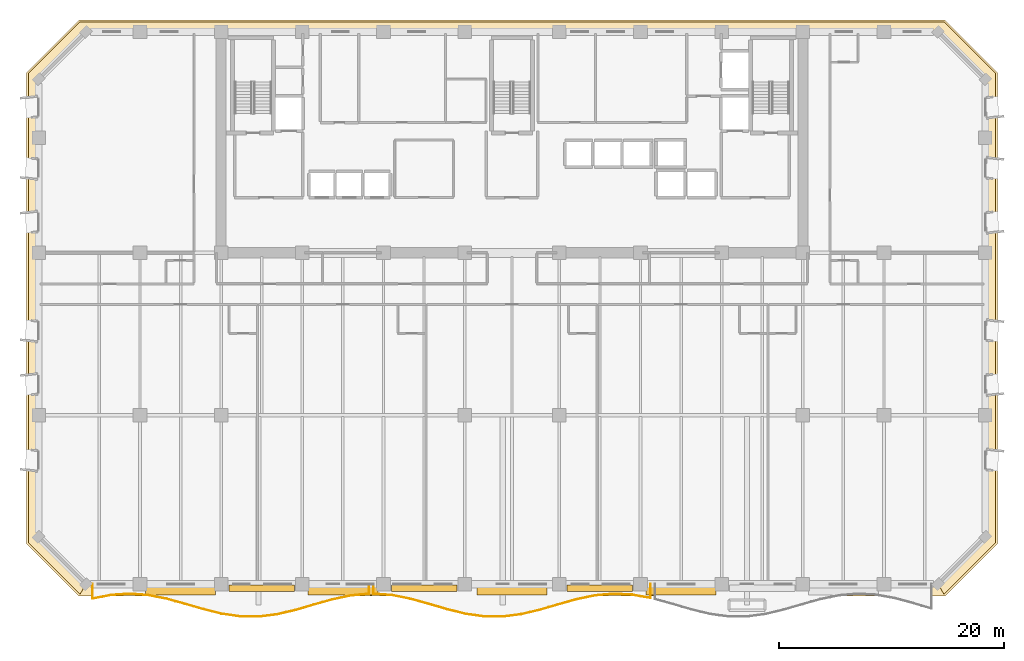
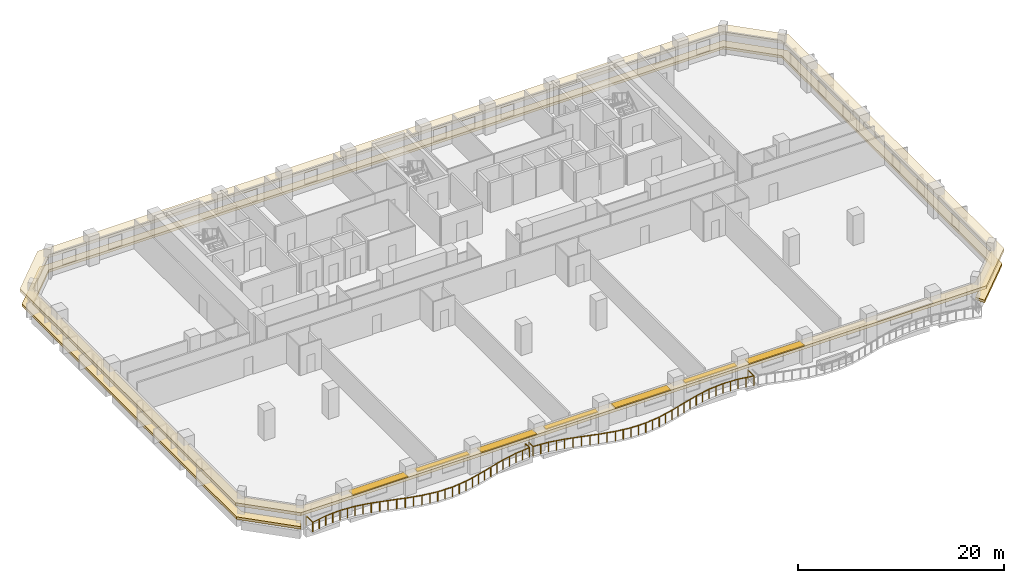
# One storey, part 11 of 14: 7 shading devices, 2 coverings, 2 railings.
"""IFC4 building model written with IfcOpenShell, lengths in metres."""

from ifc_helpers import new_model, si_unit, direction, frame, origin, origin_2d, place, context, subcontext, project, spatial, polyline, rectangle, outline, extrude, material, layer, layer_set, type_object, element, save


model = new_model("IFC4")

# Units and contexts
model_context = context("Model", 3, precision=1e-05, world=origin(), true_north=direction((0.0, 1.0)))
body_context = subcontext(model_context, "Body", "Model", "MODEL_VIEW")
ifc_project = project(units=[si_unit("LENGTHUNIT", "METRE"), si_unit("AREAUNIT", "SQUARE_METRE"), si_unit("VOLUMEUNIT", "CUBIC_METRE"), si_unit("PLANEANGLEUNIT", "RADIAN"), si_unit("MASSUNIT", "GRAM", prefix="KILO")], contexts=[model_context])

# Site, building, storey
site_placement = place(None, origin())
site = spatial("IfcSite", under=ifc_project, at=site_placement, CompositionType="ELEMENT")
building_placement = place(site_placement, origin())
building = spatial("IfcBuilding", under=site, at=building_placement, Name="Kaelvorn Grand Hotel", CompositionType="ELEMENT")
storey_placement = place(building_placement, frame((0.0, 0.0, 119.300048828125)))
storey = spatial("IfcBuildingStorey", under=building, at=storey_placement, Name="L28", CompositionType="ELEMENT", Elevation=119.300048828125)

# Coverings
ifc_material_1 = material(Name="Precast concrete C45/55", Category="concrete")
ifc_layer_1 = layer(ifc_material_1, 0.260009765625)
ifc_layer_set_1 = layer_set([ifc_layer_1], Name="Precast concrete C45/55")
covering_type_1 = type_object("IfcCoveringType", Name="COV-BAND-STREAMLINE-HEAD", PredefinedType="CLADDING", material=ifc_layer_set_1)
covering_1_placement = place(storey_placement, frame((0.0, 0.0, 2.179931640625)))
element("IfcCovering", 1, at=covering_1_placement, inside=storey, type_object=covering_type_1, Name="L28 Streamline Moderne Wraparound Horizontal Eyebrow Band", PredefinedType="CLADDING", context=body_context, shape_type="SweptSolid", body=[
    extrude(outline(polyline([(3.590087890625, -1.050048828125), (80.409912109375, -1.050048828125), (85.050048828125, 3.590087890625), (85.050048828125, 45.409912109375), (80.409912109375, 50.050048828125), (3.590087890625, 50.050048828125), (-1.050048828125, 45.409912109375), (-1.050048828125, 3.590087890625), (3.590087890625, -1.050048828125)]), holes=[polyline([(4.219970703125, 0.030029296875), (79.780029296875, 0.030029296875), (83.969970703125, 4.219970703125), (83.969970703125, 44.780029296875), (79.780029296875, 48.969970703125), (4.219970703125, 48.969970703125), (0.030029296875, 44.780029296875), (0.030029296875, 4.219970703125), (4.219970703125, 0.030029296875)])]), origin(), (0.0, 0.0, 1.0), 0.360107421875),
])
ifc_layer_2 = layer(ifc_material_1, 0.219970703125)
ifc_layer_set_2 = layer_set([ifc_layer_2], Name="Precast concrete C45/55")
covering_type_2 = type_object("IfcCoveringType", Name="COV-BAND-STREAMLINE-SILL", PredefinedType="CLADDING", material=ifc_layer_set_2)
covering_2_placement = place(storey_placement, frame((0.0, 0.0, 0.449951171875)))
element("IfcCovering", 2, at=covering_2_placement, inside=storey, type_object=covering_type_2, Name="L28 Streamline Moderne Wraparound Horizontal Sill Spandrel Band", PredefinedType="CLADDING", context=body_context, shape_type="SweptSolid", body=[
    extrude(outline(polyline([(80.3154296875, -0.8798828125), (84.8798828125, 3.6845703125), (84.8798828125, 45.3154296875), (80.3154296875, 49.8798828125), (3.6845703125, 49.8798828125), (-0.8798828125, 45.3154296875), (-0.8798828125, 3.6845703125), (3.6845703125, -0.8798828125), (4.217529296875, 0.030029296875), (0.030029296875, 4.217529296875), (0.030029296875, 44.782470703125), (4.217529296875, 48.969970703125), (79.782470703125, 48.969970703125), (83.969970703125, 44.782470703125), (83.969970703125, 4.217529296875), (79.782470703125, 0.030029296875), (80.3154296875, -0.8798828125)])), origin(), (0.0, 0.0, 1.0), 0.300048828125),
])

# Railings
ifc_material_2 = material(Name="Stainless Steel", Category="steel")
railing_type = type_object("IfcRailingType", Name="RL-BALC-1150", PredefinedType="BALUSTRADE", material=ifc_material_2)
railing_1_placement = place(storey_placement, frame((4.800048828125, 0.0, 0.0)))
element("IfcRailing", 3, at=railing_1_placement, inside=storey, type_object=railing_type, Name="L28 Scalloped Wave Balcony Balustrade GR1-1", PredefinedType="BALUSTRADE", context=body_context, shape_type="SweptSolid", body=[
    extrude(rectangle(XDim=0.048095703125, YDim=0.048095703125, at=origin_2d()), frame((0.0, 0.0, 1.1259765625), z_axis=(0.0, -1.0, 0.0), x_axis=(1.0, 0.0, 0.0)), (0.0, 0.0, 1.0), 1.2724609375),
    extrude(rectangle(XDim=0.048095703125, YDim=0.048095703125, at=origin_2d()), frame((0.0, -1.2724609375, 1.1259765625), z_axis=(0.982203562984, 0.1878194901, 0.0), x_axis=(-0.1878194901, 0.982203562984, 0.0)), (0.0, 0.0, 1.0), 1.6650390625),
    extrude(rectangle(XDim=0.048095703125, YDim=0.048095703125, at=origin_2d()), frame((1.635498046875, -0.959716796875, 1.1259765625), z_axis=(0.997761369143, 0.066874885019, 0.0), x_axis=(-0.066874885019, 0.997761369143, 0.0)), (0.0, 0.0, 1.0), 1.63916015625),
    extrude(rectangle(XDim=0.048095703125, YDim=0.048095703125, at=origin_2d()), frame((3.27099609375, -0.85009765625, 1.1259765625), z_axis=(0.997411632493, -0.071902957984, 0.0), x_axis=(0.071902957984, 0.997411632493, 0.0)), (0.0, 0.0, 1.0), 1.639892578125),
    extrude(rectangle(XDim=0.048095703125, YDim=0.048095703125, at=origin_2d()), frame((4.90673828125, -0.968017578125, 1.1259765625), z_axis=(0.981438838615, -0.191775405247, 0.0), x_axis=(0.191775405247, 0.981438838615, 0.0)), (0.0, 0.0, 1.0), 1.66650390625),
    extrude(rectangle(XDim=0.048095703125, YDim=0.048095703125, at=origin_2d()), frame((6.542236328125, -1.28759765625, 1.1259765625), z_axis=(0.96417686915, -0.265260183586, 0.0), x_axis=(0.265260183586, 0.96417686915, 0.0)), (0.0, 0.0, 1.0), 1.6962890625),
    extrude(rectangle(XDim=0.048095703125, YDim=0.048095703125, at=origin_2d()), frame((8.177734375, -1.737548828125, 1.1259765625), z_axis=(0.959454398454, -0.281863898516, 0.0), x_axis=(0.281863898516, 0.959454398454, 0.0)), (0.0, 0.0, 1.0), 1.70458984375),
    extrude(rectangle(XDim=0.048095703125, YDim=0.048095703125, at=origin_2d()), frame((9.813232421875, -2.218017578125, 1.1259765625), z_axis=(0.970778455787, -0.239977477651, 0.0), x_axis=(0.239977477651, 0.970778455787, 0.0)), (0.0, 0.0, 1.0), 1.684814453125),
    extrude(rectangle(XDim=0.048095703125, YDim=0.048095703125, at=origin_2d()), frame((11.44873046875, -2.622314453125, 1.1259765625), z_axis=(0.98955581649, -0.144150220432, 0.0), x_axis=(0.144150220432, 0.98955581649, 0.0)), (0.0, 0.0, 1.0), 1.653076171875),
    extrude(rectangle(XDim=0.048095703125, YDim=0.048095703125, at=origin_2d()), frame((13.08447265625, -2.860595703125, 1.1259765625), z_axis=(0.999928700978, -0.011941229449, 0.0), x_axis=(0.011941229449, 0.999928700978, 0.0)), (0.0, 0.0, 1.0), 1.635498046875),
    extrude(rectangle(XDim=0.048095703125, YDim=0.048095703125, at=origin_2d()), frame((14.719970703125, -2.880126953125, 1.1259765625), z_axis=(0.992302924099, 0.123834190856, 0.0), x_axis=(-0.123834190856, 0.992302924099, 0.0)), (0.0, 0.0, 1.0), 1.648193359375),
    extrude(rectangle(XDim=0.048095703125, YDim=0.048095703125, at=origin_2d()), frame((16.35546875, -2.676025390625, 1.1259765625), z_axis=(0.973844426508, 0.227215829024, 0.0), x_axis=(-0.227215829024, 0.973844426508, 0.0)), (0.0, 0.0, 1.0), 1.679443359375),
    extrude(rectangle(XDim=0.048095703125, YDim=0.048095703125, at=origin_2d()), frame((17.990966796875, -2.29443359375, 1.1259765625), z_axis=(0.960314032901, 0.278921060899, 0.0), x_axis=(-0.278921060899, 0.960314032901, 0.0)), (0.0, 0.0, 1.0), 1.703369140625),
    extrude(rectangle(XDim=0.048095703125, YDim=0.048095703125, at=origin_2d()), frame((19.626708984375, -1.8193359375, 1.1259765625), z_axis=(0.962241545122, 0.272197003733, 0.0), x_axis=(-0.272197003733, 0.962241545122, 0.0)), (0.0, 0.0, 1.0), 1.69970703125),
    extrude(rectangle(XDim=0.048095703125, YDim=0.048095703125, at=origin_2d()), frame((21.26220703125, -1.356689453125, 1.1259765625), z_axis=(0.978174805455, 0.207783661466, 0.0), x_axis=(-0.207783661466, 0.978174805455, 0.0)), (0.0, 0.0, 1.0), 1.671875),
    extrude(rectangle(XDim=0.048095703125, YDim=0.048095703125, at=origin_2d()), frame((22.897705078125, -1.00927734375, 1.1259765625), z_axis=(0.995523480824, 0.09451454453, 0.0), x_axis=(-0.09451454453, 0.995523480824, 0.0)), (0.0, 0.0, 1.0), 1.642822265625),
    extrude(rectangle(XDim=0.048095703125, YDim=0.048095703125, at=origin_2d()), frame((24.533203125, -0.85400390625, 1.1259765625), z_axis=(0.0, 1.0, 0.0), x_axis=(-1.0, 0.0, 0.0)), (0.0, 0.0, 1.0), 0.85400390625),
    extrude(rectangle(XDim=0.0419921875, YDim=0.0419921875, at=origin_2d()), origin(), (0.0, 0.0, 1.0), 1.101806640625),
    extrude(rectangle(XDim=0.0419921875, YDim=0.0419921875, at=origin_2d()), frame((0.0, -1.2724609375, 0.0)), (0.0, 0.0, 1.0), 1.101806640625),
    extrude(rectangle(XDim=0.0419921875, YDim=0.0419921875, at=origin_2d()), frame((0.81787109375, -1.1162109375, 0.0)), (0.0, 0.0, 1.0), 1.101806640625),
    extrude(rectangle(XDim=0.0419921875, YDim=0.0419921875, at=origin_2d()), frame((1.635498046875, -0.959716796875, 0.0)), (0.0, 0.0, 1.0), 1.101806640625),
    extrude(rectangle(XDim=0.0419921875, YDim=0.0419921875, at=origin_2d()), frame((2.453125, -0.90478515625, 0.0)), (0.0, 0.0, 1.0), 1.101806640625),
    extrude(rectangle(XDim=0.0419921875, YDim=0.0419921875, at=origin_2d()), frame((3.27099609375, -0.85009765625, 0.0)), (0.0, 0.0, 1.0), 1.101806640625),
    extrude(rectangle(XDim=0.0419921875, YDim=0.0419921875, at=origin_2d()), frame((4.0888671875, -0.9091796875, 0.0)), (0.0, 0.0, 1.0), 1.101806640625),
    extrude(rectangle(XDim=0.0419921875, YDim=0.0419921875, at=origin_2d()), frame((4.90673828125, -0.968017578125, 0.0)), (0.0, 0.0, 1.0), 1.101806640625),
    extrude(rectangle(XDim=0.0419921875, YDim=0.0419921875, at=origin_2d()), frame((5.724609375, -1.1279296875, 0.0)), (0.0, 0.0, 1.0), 1.101806640625),
    extrude(rectangle(XDim=0.0419921875, YDim=0.0419921875, at=origin_2d()), frame((6.542236328125, -1.28759765625, 0.0)), (0.0, 0.0, 1.0), 1.101806640625),
    extrude(rectangle(XDim=0.0419921875, YDim=0.0419921875, at=origin_2d()), frame((7.35986328125, -1.5126953125, 0.0)), (0.0, 0.0, 1.0), 1.101806640625),
    extrude(rectangle(XDim=0.0419921875, YDim=0.0419921875, at=origin_2d()), frame((8.177734375, -1.737548828125, 0.0)), (0.0, 0.0, 1.0), 1.101806640625),
    extrude(rectangle(XDim=0.0419921875, YDim=0.0419921875, at=origin_2d()), frame((8.99560546875, -1.977783203125, 0.0)), (0.0, 0.0, 1.0), 1.101806640625),
    extrude(rectangle(XDim=0.0419921875, YDim=0.0419921875, at=origin_2d()), frame((9.813232421875, -2.218017578125, 0.0)), (0.0, 0.0, 1.0), 1.101806640625),
    extrude(rectangle(XDim=0.0419921875, YDim=0.0419921875, at=origin_2d()), frame((10.630859375, -2.420166015625, 0.0)), (0.0, 0.0, 1.0), 1.101806640625),
    extrude(rectangle(XDim=0.0419921875, YDim=0.0419921875, at=origin_2d()), frame((11.44873046875, -2.622314453125, 0.0)), (0.0, 0.0, 1.0), 1.101806640625),
    extrude(rectangle(XDim=0.0419921875, YDim=0.0419921875, at=origin_2d()), frame((12.2666015625, -2.741455078125, 0.0)), (0.0, 0.0, 1.0), 1.101806640625),
    extrude(rectangle(XDim=0.0419921875, YDim=0.0419921875, at=origin_2d()), frame((13.08447265625, -2.860595703125, 0.0)), (0.0, 0.0, 1.0), 1.101806640625),
    extrude(rectangle(XDim=0.0419921875, YDim=0.0419921875, at=origin_2d()), frame((13.90234375, -2.870361328125, 0.0)), (0.0, 0.0, 1.0), 1.101806640625),
    extrude(rectangle(XDim=0.0419921875, YDim=0.0419921875, at=origin_2d()), frame((14.719970703125, -2.880126953125, 0.0)), (0.0, 0.0, 1.0), 1.101806640625),
    extrude(rectangle(XDim=0.0419921875, YDim=0.0419921875, at=origin_2d()), frame((15.53759765625, -2.778076171875, 0.0)), (0.0, 0.0, 1.0), 1.101806640625),
    extrude(rectangle(XDim=0.0419921875, YDim=0.0419921875, at=origin_2d()), frame((16.35546875, -2.676025390625, 0.0)), (0.0, 0.0, 1.0), 1.101806640625),
    extrude(rectangle(XDim=0.0419921875, YDim=0.0419921875, at=origin_2d()), frame((17.17333984375, -2.4853515625, 0.0)), (0.0, 0.0, 1.0), 1.101806640625),
    extrude(rectangle(XDim=0.0419921875, YDim=0.0419921875, at=origin_2d()), frame((17.990966796875, -2.29443359375, 0.0)), (0.0, 0.0, 1.0), 1.101806640625),
    extrude(rectangle(XDim=0.0419921875, YDim=0.0419921875, at=origin_2d()), frame((18.808837890625, -2.056884765625, 0.0)), (0.0, 0.0, 1.0), 1.101806640625),
    extrude(rectangle(XDim=0.0419921875, YDim=0.0419921875, at=origin_2d()), frame((19.626708984375, -1.8193359375, 0.0)), (0.0, 0.0, 1.0), 1.101806640625),
    extrude(rectangle(XDim=0.0419921875, YDim=0.0419921875, at=origin_2d()), frame((20.4443359375, -1.587890625, 0.0)), (0.0, 0.0, 1.0), 1.101806640625),
    extrude(rectangle(XDim=0.0419921875, YDim=0.0419921875, at=origin_2d()), frame((21.26220703125, -1.356689453125, 0.0)), (0.0, 0.0, 1.0), 1.101806640625),
    extrude(rectangle(XDim=0.0419921875, YDim=0.0419921875, at=origin_2d()), frame((22.080078125, -1.18310546875, 0.0)), (0.0, 0.0, 1.0), 1.101806640625),
    extrude(rectangle(XDim=0.0419921875, YDim=0.0419921875, at=origin_2d()), frame((22.897705078125, -1.00927734375, 0.0)), (0.0, 0.0, 1.0), 1.101806640625),
    extrude(rectangle(XDim=0.0419921875, YDim=0.0419921875, at=origin_2d()), frame((23.71533203125, -0.931640625, 0.0)), (0.0, 0.0, 1.0), 1.101806640625),
    extrude(rectangle(XDim=0.0419921875, YDim=0.0419921875, at=origin_2d()), frame((24.533203125, -0.85400390625, 0.0)), (0.0, 0.0, 1.0), 1.101806640625),
    extrude(rectangle(XDim=0.0419921875, YDim=0.0419921875, at=origin_2d()), frame((24.533203125, 0.0, 0.0)), (0.0, 0.0, 1.0), 1.101806640625),
])
railing_2_placement = place(storey_placement, frame((29.7333984375, 0.0, 0.0)))
element("IfcRailing", 4, at=railing_2_placement, inside=storey, type_object=railing_type, Name="L28 Scalloped Wave Balcony Balustrade GR1-2", PredefinedType="BALUSTRADE", context=body_context, shape_type="SweptSolid", body=[
    extrude(rectangle(XDim=0.048095703125, YDim=0.048095703125, at=origin_2d()), frame((0.0, 0.0, 1.1259765625), z_axis=(0.0, -1.0, 0.0), x_axis=(1.0, 0.0, 0.0)), (0.0, 0.0, 1.0), 0.850341796875),
    extrude(rectangle(XDim=0.048095703125, YDim=0.048095703125, at=origin_2d()), frame((0.0, -0.850341796875, 1.1259765625), z_axis=(0.997023764101, -0.077094836514, 0.0), x_axis=(0.077094836514, 0.997023764101, 0.0)), (0.0, 0.0, 1.0), 1.640380859375),
    extrude(rectangle(XDim=0.048095703125, YDim=0.048095703125, at=origin_2d()), frame((1.635498046875, -0.976806640625, 1.1259765625), z_axis=(0.980687509387, -0.195581208022, 0.0), x_axis=(0.195581208022, 0.980687509387, 0.0)), (0.0, 0.0, 1.0), 1.667724609375),
    extrude(rectangle(XDim=0.048095703125, YDim=0.048095703125, at=origin_2d()), frame((3.27099609375, -1.302978515625, 1.1259765625), z_axis=(0.963696999215, -0.266998302813, 0.0), x_axis=(0.266998302813, 0.963696999215, 0.0)), (0.0, 0.0, 1.0), 1.697021484375),
    extrude(rectangle(XDim=0.048095703125, YDim=0.048095703125, at=origin_2d()), frame((4.906494140625, -1.756103515625, 1.1259765625), z_axis=(0.959620545058, -0.281297723954, 0.0), x_axis=(0.281297723954, 0.959620545058, 0.0)), (0.0, 0.0, 1.0), 1.70458984375),
    extrude(rectangle(XDim=0.048095703125, YDim=0.048095703125, at=origin_2d()), frame((6.542236328125, -2.235595703125, 1.1259765625), z_axis=(0.971450272651, -0.237243267063, 0.0), x_axis=(0.237243267063, 0.971450272651, 0.0)), (0.0, 0.0, 1.0), 1.68359375),
    extrude(rectangle(XDim=0.048095703125, YDim=0.048095703125, at=origin_2d()), frame((8.177734375, -2.635009765625, 1.1259765625), z_axis=(0.990216726889, -0.139537929569, 0.0), x_axis=(0.139537929569, 0.990216726889, 0.0)), (0.0, 0.0, 1.0), 1.651611328125),
    extrude(rectangle(XDim=0.048095703125, YDim=0.048095703125, at=origin_2d()), frame((9.813232421875, -2.865478515625, 1.1259765625), z_axis=(0.999978430437, -0.006568002827, 0.0), x_axis=(0.006568002827, 0.999978430437, 0.0)), (0.0, 0.0, 1.0), 1.635498046875),
    extrude(rectangle(XDim=0.048095703125, YDim=0.048095703125, at=origin_2d()), frame((11.44873046875, -2.876220703125, 1.1259765625), z_axis=(0.991731137416, 0.128332969573, 0.0), x_axis=(-0.128332969573, 0.991731137416, 0.0)), (0.0, 0.0, 1.0), 1.6494140625),
    extrude(rectangle(XDim=0.048095703125, YDim=0.048095703125, at=origin_2d()), frame((13.08447265625, -2.66455078125, 1.1259765625), z_axis=(0.973100001254, 0.230383132108, 0.0), x_axis=(-0.230383132108, 0.973100001254, 0.0)), (0.0, 0.0, 1.0), 1.6806640625),
    extrude(rectangle(XDim=0.048095703125, YDim=0.048095703125, at=origin_2d()), frame((14.719970703125, -2.27734375, 1.1259765625), z_axis=(0.960072199194, 0.27975234107, 0.0), x_axis=(-0.27975234107, 0.960072199194, 0.0)), (0.0, 0.0, 1.0), 1.70361328125),
    extrude(rectangle(XDim=0.048095703125, YDim=0.048095703125, at=origin_2d()), frame((16.35546875, -1.80078125, 1.1259765625), z_axis=(0.962654451324, 0.270733092446, 0.0), x_axis=(-0.270733092446, 0.962654451324, 0.0)), (0.0, 0.0, 1.0), 1.698974609375),
    extrude(rectangle(XDim=0.048095703125, YDim=0.048095703125, at=origin_2d()), frame((17.990966796875, -1.3408203125, 1.1259765625), z_axis=(0.97891716502, 0.204257641298, 0.0), x_axis=(-0.204257641298, 0.97891716502, 0.0)), (0.0, 0.0, 1.0), 1.6708984375),
    extrude(rectangle(XDim=0.048095703125, YDim=0.048095703125, at=origin_2d()), frame((19.626708984375, -0.99951171875, 1.1259765625), z_axis=(0.9959865086, 0.089503489801, 0.0), x_axis=(-0.089503489801, 0.9959865086, 0.0)), (0.0, 0.0, 1.0), 1.64208984375),
    extrude(rectangle(XDim=0.048095703125, YDim=0.048095703125, at=origin_2d()), frame((21.26220703125, -0.8525390625, 1.1259765625), z_axis=(0.998796192394, -0.049052686565, 0.0), x_axis=(0.049052686565, 0.998796192394, 0.0)), (0.0, 0.0, 1.0), 1.637451171875),
    extrude(rectangle(XDim=0.048095703125, YDim=0.048095703125, at=origin_2d()), frame((22.897705078125, -0.932861328125, 1.1259765625), z_axis=(0.984712445929, -0.174187826306, 0.0), x_axis=(0.174187826306, 0.984712445929, 0.0)), (0.0, 0.0, 1.0), 1.660888671875),
    extrude(rectangle(XDim=0.048095703125, YDim=0.048095703125, at=origin_2d()), frame((24.533203125, -1.22216796875, 1.1259765625), z_axis=(0.0, 1.0, 0.0), x_axis=(-1.0, 0.0, 0.0)), (0.0, 0.0, 1.0), 1.22216796875),
    extrude(rectangle(XDim=0.0419921875, YDim=0.0419921875, at=origin_2d()), origin(), (0.0, 0.0, 1.0), 1.101806640625),
    extrude(rectangle(XDim=0.0419921875, YDim=0.0419921875, at=origin_2d()), frame((0.0, -0.850341796875, 0.0)), (0.0, 0.0, 1.0), 1.101806640625),
    extrude(rectangle(XDim=0.0419921875, YDim=0.0419921875, at=origin_2d()), frame((0.81787109375, -0.91357421875, 0.0)), (0.0, 0.0, 1.0), 1.101806640625),
    extrude(rectangle(XDim=0.0419921875, YDim=0.0419921875, at=origin_2d()), frame((1.635498046875, -0.976806640625, 0.0)), (0.0, 0.0, 1.0), 1.101806640625),
    extrude(rectangle(XDim=0.0419921875, YDim=0.0419921875, at=origin_2d()), frame((2.453125, -1.139892578125, 0.0)), (0.0, 0.0, 1.0), 1.101806640625),
    extrude(rectangle(XDim=0.0419921875, YDim=0.0419921875, at=origin_2d()), frame((3.27099609375, -1.302978515625, 0.0)), (0.0, 0.0, 1.0), 1.101806640625),
    extrude(rectangle(XDim=0.0419921875, YDim=0.0419921875, at=origin_2d()), frame((4.0888671875, -1.529541015625, 0.0)), (0.0, 0.0, 1.0), 1.101806640625),
    extrude(rectangle(XDim=0.0419921875, YDim=0.0419921875, at=origin_2d()), frame((4.906494140625, -1.756103515625, 0.0)), (0.0, 0.0, 1.0), 1.101806640625),
    extrude(rectangle(XDim=0.0419921875, YDim=0.0419921875, at=origin_2d()), frame((5.724365234375, -1.995849609375, 0.0)), (0.0, 0.0, 1.0), 1.101806640625),
    extrude(rectangle(XDim=0.0419921875, YDim=0.0419921875, at=origin_2d()), frame((6.542236328125, -2.235595703125, 0.0)), (0.0, 0.0, 1.0), 1.101806640625),
    extrude(rectangle(XDim=0.0419921875, YDim=0.0419921875, at=origin_2d()), frame((7.35986328125, -2.435302734375, 0.0)), (0.0, 0.0, 1.0), 1.101806640625),
    extrude(rectangle(XDim=0.0419921875, YDim=0.0419921875, at=origin_2d()), frame((8.177734375, -2.635009765625, 0.0)), (0.0, 0.0, 1.0), 1.101806640625),
    extrude(rectangle(XDim=0.0419921875, YDim=0.0419921875, at=origin_2d()), frame((8.99560546875, -2.750244140625, 0.0)), (0.0, 0.0, 1.0), 1.101806640625),
    extrude(rectangle(XDim=0.0419921875, YDim=0.0419921875, at=origin_2d()), frame((9.813232421875, -2.865478515625, 0.0)), (0.0, 0.0, 1.0), 1.101806640625),
    extrude(rectangle(XDim=0.0419921875, YDim=0.0419921875, at=origin_2d()), frame((10.630859375, -2.870849609375, 0.0)), (0.0, 0.0, 1.0), 1.101806640625),
    extrude(rectangle(XDim=0.0419921875, YDim=0.0419921875, at=origin_2d()), frame((11.44873046875, -2.876220703125, 0.0)), (0.0, 0.0, 1.0), 1.101806640625),
    extrude(rectangle(XDim=0.0419921875, YDim=0.0419921875, at=origin_2d()), frame((12.2666015625, -2.7705078125, 0.0)), (0.0, 0.0, 1.0), 1.101806640625),
    extrude(rectangle(XDim=0.0419921875, YDim=0.0419921875, at=origin_2d()), frame((13.08447265625, -2.66455078125, 0.0)), (0.0, 0.0, 1.0), 1.101806640625),
    extrude(rectangle(XDim=0.0419921875, YDim=0.0419921875, at=origin_2d()), frame((13.90234375, -2.470947265625, 0.0)), (0.0, 0.0, 1.0), 1.101806640625),
    extrude(rectangle(XDim=0.0419921875, YDim=0.0419921875, at=origin_2d()), frame((14.719970703125, -2.27734375, 0.0)), (0.0, 0.0, 1.0), 1.101806640625),
    extrude(rectangle(XDim=0.0419921875, YDim=0.0419921875, at=origin_2d()), frame((15.53759765625, -2.0390625, 0.0)), (0.0, 0.0, 1.0), 1.101806640625),
    extrude(rectangle(XDim=0.0419921875, YDim=0.0419921875, at=origin_2d()), frame((16.35546875, -1.80078125, 0.0)), (0.0, 0.0, 1.0), 1.101806640625),
    extrude(rectangle(XDim=0.0419921875, YDim=0.0419921875, at=origin_2d()), frame((17.17333984375, -1.57080078125, 0.0)), (0.0, 0.0, 1.0), 1.101806640625),
    extrude(rectangle(XDim=0.0419921875, YDim=0.0419921875, at=origin_2d()), frame((17.990966796875, -1.3408203125, 0.0)), (0.0, 0.0, 1.0), 1.101806640625),
    extrude(rectangle(XDim=0.0419921875, YDim=0.0419921875, at=origin_2d()), frame((18.808837890625, -1.170166015625, 0.0)), (0.0, 0.0, 1.0), 1.101806640625),
    extrude(rectangle(XDim=0.0419921875, YDim=0.0419921875, at=origin_2d()), frame((19.626708984375, -0.99951171875, 0.0)), (0.0, 0.0, 1.0), 1.101806640625),
    extrude(rectangle(XDim=0.0419921875, YDim=0.0419921875, at=origin_2d()), frame((20.4443359375, -0.926025390625, 0.0)), (0.0, 0.0, 1.0), 1.101806640625),
    extrude(rectangle(XDim=0.0419921875, YDim=0.0419921875, at=origin_2d()), frame((21.26220703125, -0.8525390625, 0.0)), (0.0, 0.0, 1.0), 1.101806640625),
    extrude(rectangle(XDim=0.0419921875, YDim=0.0419921875, at=origin_2d()), frame((22.080078125, -0.892578125, 0.0)), (0.0, 0.0, 1.0), 1.101806640625),
    extrude(rectangle(XDim=0.0419921875, YDim=0.0419921875, at=origin_2d()), frame((22.897705078125, -0.932861328125, 0.0)), (0.0, 0.0, 1.0), 1.101806640625),
    extrude(rectangle(XDim=0.0419921875, YDim=0.0419921875, at=origin_2d()), frame((23.71533203125, -1.07763671875, 0.0)), (0.0, 0.0, 1.0), 1.101806640625),
    extrude(rectangle(XDim=0.0419921875, YDim=0.0419921875, at=origin_2d()), frame((24.533203125, -1.22216796875, 0.0)), (0.0, 0.0, 1.0), 1.101806640625),
    extrude(rectangle(XDim=0.0419921875, YDim=0.0419921875, at=origin_2d()), frame((24.533203125, 0.0, 0.0)), (0.0, 0.0, 1.0), 1.101806640625),
])

# Shading devices
ifc_layer_3 = layer(ifc_material_1, 0.1201171875)
ifc_layer_set_3 = layer_set([ifc_layer_3], Name="Precast concrete C45/55")
shading_device_type_1 = type_object("IfcShadingDeviceType", Name="SHD-SUNSHADE-550", PredefinedType="USERDEFINED", material=ifc_layer_set_3)
for number, where, z_axis, x_axis, name in (
    (5, (19.800048828125, -0.364990234375, 2.419921875), (0.0, 0.0, 1.0), (1.0, 0.0, 0.0), "L28 Horizontal Concrete Sunshade Band SS-03"),
    (6, (34.199951171875, -0.364990234375, 2.419921875), (0.0, 0.0, 1.0), (1.0, 0.0, 0.0), "L28 Horizontal Concrete Sunshade Band SS-05"),
    (7, (49.800048828125, -0.364990234375, 2.419921875), (0.0, 0.0, 1.0), (1.0, 0.0, 0.0), "L28 Horizontal Concrete Sunshade Band SS-07"),
):
    element("IfcShadingDevice", number, at=place(storey_placement, frame(where, z_axis=z_axis, x_axis=x_axis)), inside=storey, type_object=shading_device_type_1, Name=name, ObjectType="SUNSHADE", PredefinedType="USERDEFINED", context=body_context, shape_type="SweptSolid", body=[
        extrude(rectangle(XDim=5.800048828125, YDim=0.550048828125, at=origin_2d()), origin(), (0.0, 0.0, 1.0), 0.1201171875),
    ])
ifc_layer_4 = layer(ifc_material_1, 0.139892578125)
ifc_layer_set_4 = layer_set([ifc_layer_4], Name="Precast concrete C45/55")
shading_device_type_2 = type_object("IfcShadingDeviceType", Name="SHD-SUNSHADE-850", PredefinedType="USERDEFINED", material=ifc_layer_set_4)
for number, where, z_axis, x_axis, name in (
    (8, (12.60009765625, -0.514892578125, 2.41015625), (0.0, 0.0, 1.0), (1.0, 0.0, 0.0), "L28 Horizontal Concrete Sunshade Band SS-02"),
    (9, (27.0, -0.514892578125, 2.41015625), (0.0, 0.0, 1.0), (1.0, 0.0, 0.0), "L28 Horizontal Concrete Sunshade Band SS-04"),
    (10, (42.0, -0.514892578125, 2.41015625), (0.0, 0.0, 1.0), (1.0, 0.0, 0.0), "L28 Horizontal Concrete Sunshade Band SS-06"),
    (11, (57.0, -0.514892578125, 2.41015625), (0.0, 0.0, 1.0), (1.0, 0.0, 0.0), "L28 Horizontal Concrete Sunshade Band SS-08"),
):
    element("IfcShadingDevice", number, at=place(storey_placement, frame(where, z_axis=z_axis, x_axis=x_axis)), inside=storey, type_object=shading_device_type_2, Name=name, ObjectType="SUNSHADE", PredefinedType="USERDEFINED", context=body_context, shape_type="SweptSolid", body=[
        extrude(rectangle(XDim=6.199951171875, YDim=0.85009765625, at=origin_2d()), origin(), (0.0, 0.0, 1.0), 0.139892578125),
    ])

save(model, "model.ifc")
